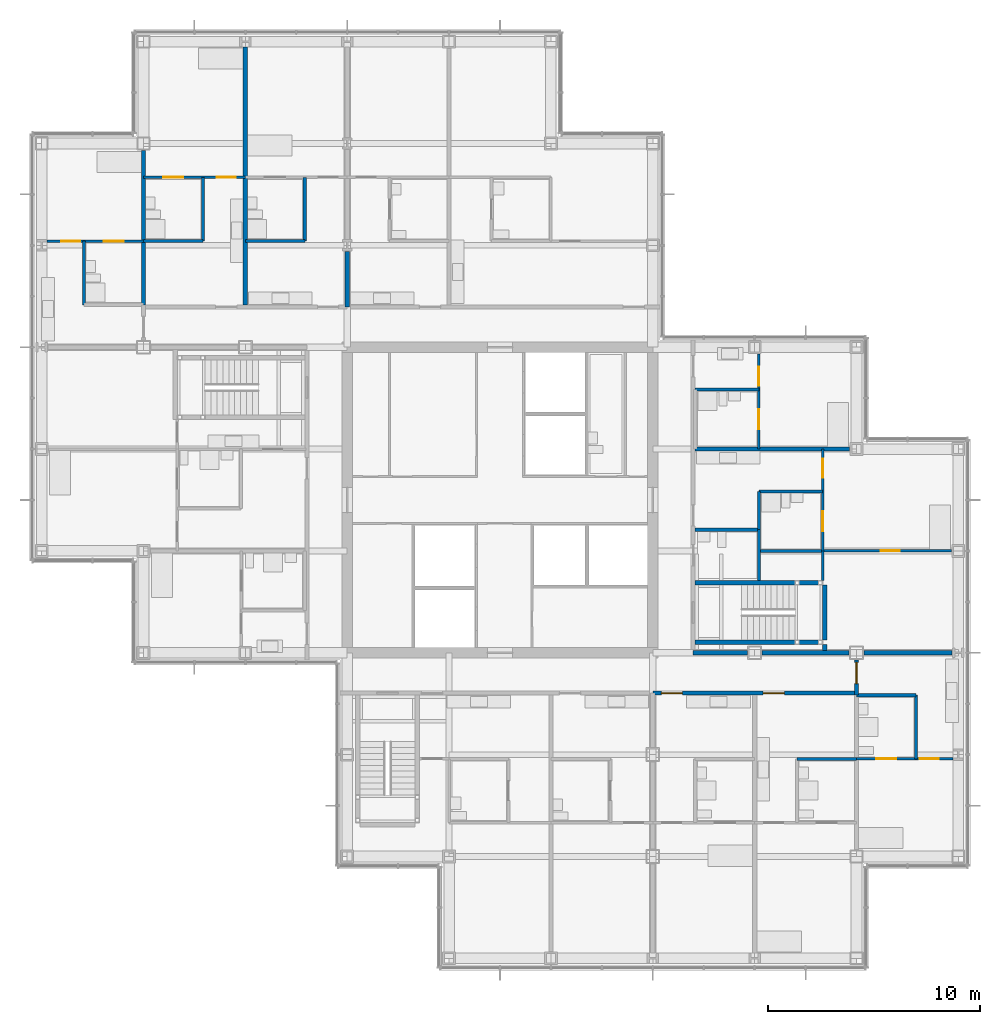
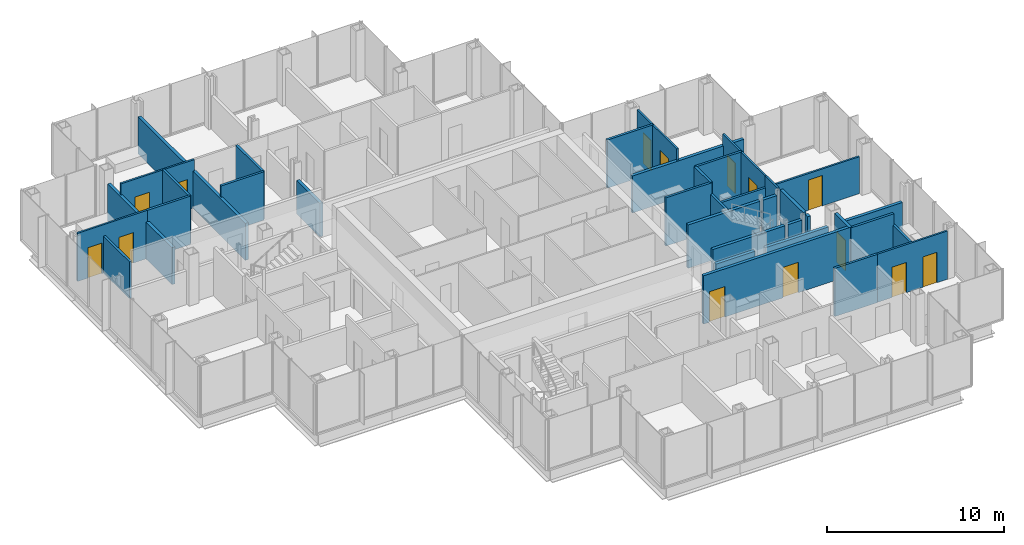
# One storey, part 16 of 20: 36 walls, 14 doors, 14 openings.
"""IFC4 building model written with IfcOpenShell, lengths in metres."""

from ifc_helpers import new_model, si_unit, direction, frame, frame_2d, origin, place, context, subcontext, project, spatial, rectangle, extrude, material, layer, layer_set, type_object, element, fill, save


model = new_model("IFC4")

# Units and contexts
model_context = context("Model", 3, precision=1e-05, world=origin(), true_north=direction((0.0, 1.0)))
body_context = subcontext(model_context, "Body", "Model", "MODEL_VIEW")
ifc_project = project(units=[si_unit("LENGTHUNIT", "METRE"), si_unit("AREAUNIT", "SQUARE_METRE"), si_unit("VOLUMEUNIT", "CUBIC_METRE"), si_unit("PLANEANGLEUNIT", "RADIAN"), si_unit("MASSUNIT", "GRAM", prefix="KILO")], contexts=[model_context])

# Site, building, storey
site_placement = place(None, origin())
site = spatial("IfcSite", under=ifc_project, at=site_placement, CompositionType="ELEMENT")
building_placement = place(site_placement, origin())
building = spatial("IfcBuilding", under=site, at=building_placement, Name="Kvirike Care Tower", CompositionType="ELEMENT")
storey_placement = place(building_placement, frame((0.0, 0.0, 112.0)))
storey = spatial("IfcBuildingStorey", under=building, at=storey_placement, Name="L30", CompositionType="ELEMENT", Elevation=112.0)

# Walls
ifc_material_1 = material(Name="Moisture-resistant board partition", Category="gypsum")
ifc_layer_1 = layer(ifc_material_1, 0.14990234375)
ifc_layer_set_1 = layer_set([ifc_layer_1], Name="BATHROOM WALL 150")
wall_type_1 = type_object("IfcWallType", Name="BATHROOM WALL 150", PredefinedType="PARTITIONING", material=ifc_layer_set_1)
wall_1_placement = place(storey_placement, frame((12.39990234375, 51.199951171875, 0.0), z_axis=(0.0, 0.0, 1.0), x_axis=(0.0, -1.0, 0.0)))
element("IfcWall", 1, at=wall_1_placement, inside=storey, type_object=wall_type_1, Name="Bathroom Wall 150 L30", PredefinedType="PARTITIONING", context=body_context, shape_type="SweptSolid", body=[
    extrude(rectangle(XDim=3.0, YDim=0.14990234375, at=frame_2d((1.5, 0.0))), origin(), (0.0, 0.0, 1.0), 3.330078125),
])
wall_2_placement = place(storey_placement, frame((12.39990234375, 48.199951171875, 0.0), z_axis=(0.0, 0.0, 1.0), x_axis=(-1.0, 0.0, 0.0)))
element("IfcWall", 2, at=wall_2_placement, inside=storey, type_object=wall_type_1, Name="Bathroom Wall 150 L30", PredefinedType="PARTITIONING", context=body_context, shape_type="SweptSolid", body=[
    extrude(rectangle(XDim=2.7998046875, YDim=0.14990234375, at=frame_2d((1.39990234375, 0.0))), origin(), (0.0, 0.0, 1.0), 3.330078125),
])
wall_3_placement = place(storey_placement, frame((7.60009765625, 51.199951171875, 0.0), z_axis=(0.0, 0.0, 1.0), x_axis=(0.0, -1.0, 0.0)))
element("IfcWall", 3, at=wall_3_placement, inside=storey, type_object=wall_type_1, Name="Bathroom Wall 150 L30", PredefinedType="PARTITIONING", context=body_context, shape_type="SweptSolid", body=[
    extrude(rectangle(XDim=3.0, YDim=0.14990234375, at=frame_2d((1.5, 0.0))), origin(), (0.0, 0.0, 1.0), 3.330078125),
])
wall_4_placement = place(storey_placement, frame((7.60009765625, 48.199951171875, 0.0), z_axis=(0.0, 0.0, 1.0), x_axis=(-1.0, 0.0, 0.0)))
element("IfcWall", 4, at=wall_4_placement, inside=storey, type_object=wall_type_1, Name="Bathroom Wall 150 L30", PredefinedType="PARTITIONING", context=body_context, shape_type="SweptSolid", body=[
    extrude(rectangle(XDim=2.800048828125, YDim=0.14990234375, at=frame_2d((1.39990234375, 0.0))), origin(), (0.0, 0.0, 1.0), 3.330078125),
])
wall_5_placement = place(storey_placement, frame((2.0, 48.199951171875, 0.0), z_axis=(0.0, 0.0, 1.0), x_axis=(0.0, -1.0, 0.0)))
element("IfcWall", 5, at=wall_5_placement, inside=storey, type_object=wall_type_1, Name="Bathroom Wall 150 L30", PredefinedType="PARTITIONING", context=body_context, shape_type="SweptSolid", body=[
    extrude(rectangle(XDim=3.0, YDim=0.14990234375, at=frame_2d((1.5, 0.0))), origin(), (0.0, 0.0, 1.0), 2.550048828125),
])
wall_6_placement = place(storey_placement, frame((35.60009765625, 23.800048828125, 0.0), z_axis=(0.0, 0.0, 1.0), x_axis=(1.0, 0.0, 0.0)))
element("IfcWall", 6, at=wall_6_placement, inside=storey, type_object=wall_type_1, Name="Bathroom Wall 150 L30", PredefinedType="PARTITIONING", context=body_context, shape_type="SweptSolid", body=[
    extrude(rectangle(XDim=2.7998046875, YDim=0.14990234375, at=frame_2d((1.39990234375, 0.0))), origin(), (0.0, 0.0, 1.0), 3.330078125),
])
wall_7_placement = place(storey_placement, frame((41.199951171875, 23.800048828125, 0.0), z_axis=(0.0, 0.0, 1.0), x_axis=(0.0, 1.0, 0.0)))
element("IfcWall", 7, at=wall_7_placement, inside=storey, type_object=wall_type_1, Name="Bathroom Wall 150 L30", PredefinedType="PARTITIONING", context=body_context, shape_type="SweptSolid", body=[
    extrude(rectangle(XDim=3.0, YDim=0.14990234375, at=frame_2d((1.5, 0.0))), origin(), (0.0, 0.0, 1.0), 2.550048828125),
])
wall_8_placement = place(storey_placement, frame((38.39990234375, 26.800048828125, 0.0), z_axis=(0.0, 0.0, 1.0), x_axis=(1.0, 0.0, 0.0)))
element("IfcWall", 8, at=wall_8_placement, inside=storey, type_object=wall_type_1, Name="Bathroom Wall 150 L30", PredefinedType="PARTITIONING", context=body_context, shape_type="SweptSolid", body=[
    extrude(rectangle(XDim=2.800048828125, YDim=0.14990234375, at=frame_2d((1.39990234375, 0.0))), origin(), (0.0, 0.0, 1.0), 3.330078125),
])
wall_9_placement = place(storey_placement, frame((33.800048828125, 32.199951171875, 0.0), z_axis=(0.0, 0.0, 1.0), x_axis=(0.0, 1.0, 0.0)))
element("IfcWall", 9, at=wall_9_placement, inside=storey, type_object=wall_type_1, Name="Bathroom Wall 150 L30", PredefinedType="PARTITIONING", context=body_context, shape_type="SweptSolid", body=[
    extrude(rectangle(XDim=2.400146484375, YDim=0.14990234375, at=frame_2d((1.2001953125, 0.0))), origin(), (0.0, 0.0, 1.0), 2.550048828125),
])
for number, where, z_axis, x_axis, name in (
    (10, (33.800048828125, 34.60009765625, 0.0), (0.0, 0.0, 1.0), (-1.0, 0.0, 0.0), "Bathroom Wall 150 L30"),
    (11, (36.800048828125, 36.39990234375, 0.0), (0.0, 0.0, 1.0), (-1.0, 0.0, 0.0), "Bathroom Wall 150 L30"),
):
    element("IfcWall", number, at=place(storey_placement, frame(where, z_axis=z_axis, x_axis=x_axis)), inside=storey, type_object=wall_type_1, Name=name, PredefinedType="PARTITIONING", context=body_context, shape_type="SweptSolid", body=[
        extrude(rectangle(XDim=3.0, YDim=0.14990234375, at=frame_2d((1.5, 0.0))), origin(), (0.0, 0.0, 1.0), 3.330078125),
    ])
wall_10_placement = place(storey_placement, frame((33.800048828125, 34.60009765625, 0.0), z_axis=(0.0, 0.0, 1.0), x_axis=(0.0, 1.0, 0.0)))
element("IfcWall", 12, at=wall_10_placement, inside=storey, type_object=wall_type_1, Name="Bathroom Wall 150 L30", PredefinedType="PARTITIONING", context=body_context, shape_type="SweptSolid", body=[
    extrude(rectangle(XDim=1.7998046875, YDim=0.14990234375, at=frame_2d((0.89990234375, 0.0))), origin(), (0.0, 0.0, 1.0), 3.330078125),
])
wall_11_placement = place(storey_placement, frame((33.800048828125, 41.199951171875, 0.0), z_axis=(0.0, 0.0, 1.0), x_axis=(-1.0, 0.0, 0.0)))
element("IfcWall", 13, at=wall_11_placement, inside=storey, type_object=wall_type_1, Name="Bathroom Wall 150 L30", PredefinedType="PARTITIONING", context=body_context, shape_type="SweptSolid", body=[
    extrude(rectangle(XDim=3.0, YDim=0.14990234375, at=frame_2d((1.5, 0.0))), origin(), (0.0, 0.0, 1.0), 3.330078125),
])
wall_12_placement = place(storey_placement, frame((36.739990234375, 33.60009765625, 0.0), z_axis=(0.0, 0.0, 1.0), x_axis=(-1.0, 0.0, 0.0)))
element("IfcWall", 14, at=wall_12_placement, inside=storey, type_object=wall_type_1, Name="Bathroom Wall 150 L30", PredefinedType="PARTITIONING", context=body_context, shape_type="SweptSolid", body=[
    extrude(rectangle(XDim=2.864990234375, YDim=0.14990234375, at=frame_2d((1.4326171875, 0.0))), origin(), (0.0, 0.0, 1.0), 2.550048828125),
])

# Wall, openings, doors
ifc_material_2 = material(Name="Plasterboard corridor wall", Category="gypsum")
ifc_layer_2 = layer(ifc_material_2, 0.199951171875)
ifc_layer_set_2 = layer_set([ifc_layer_2], Name="CORRIDOR WALL 200")
wall_type_2 = type_object("IfcWallType", Name="CORRIDOR WALL 200", PredefinedType="PARTITIONING", material=ifc_layer_set_2)
wall_13_placement = place(storey_placement, frame((28.800048828125, 26.89990234375, 0.0), z_axis=(0.0, 0.0, 1.0), x_axis=(1.0, 0.0, 0.0)))
wall_13 = element("IfcWall", 15, at=wall_13_placement, inside=storey, type_object=wall_type_2, Name="Corridor Wall 200 L30", PredefinedType="PARTITIONING", context=body_context, shape_type="SweptSolid", body=[
    extrude(rectangle(XDim=9.599853515625, YDim=0.199951171875, at=frame_2d((4.7998046875, 0.0))), origin(), (0.0, 0.0, 1.0), 3.330078125),
])
opening_1_placement = place(wall_13_placement, frame((0.39990234375, 0.0, 0.0)))
opening_1 = element("IfcOpeningElement", 16, at=opening_1_placement, cuts=wall_13, Name="Opening 30-038", PredefinedType="OPENING", context=body_context, shape_type="SweptSolid", body=[
    extrude(rectangle(XDim=1.0, YDim=2.10009765625, at=frame_2d((0.5, 1.050048828125))), frame((0.0, 0.110595703125, 0.0), z_axis=(0.0, -1.0, 0.0), x_axis=(1.0, 0.0, 0.0)), (0.0, 0.0, 1.0), 0.220947265625),
])
opening_2_placement = place(wall_13_placement, frame((5.199951171875, 0.0, 0.0)))
opening_2 = element("IfcOpeningElement", 17, at=opening_2_placement, cuts=wall_13, Name="Opening 30-039", PredefinedType="OPENING", context=body_context, shape_type="SweptSolid", body=[
    extrude(rectangle(XDim=1.0, YDim=2.10009765625, at=frame_2d((0.5, 1.050048828125))), frame((0.0, 0.110595703125, 0.0), z_axis=(0.0, -1.0, 0.0), x_axis=(1.0, 0.0, 0.0)), (0.0, 0.0, 1.0), 0.220947265625),
])
ifc_material_3 = material(Name="Timber door set", Category="wood")
door_type_1 = type_object("IfcDoorType", Name="FLAT ENTRANCE DOOR 1000", OperationType="SINGLE_SWING_LEFT", PredefinedType="DOOR", material=ifc_material_3)
door_1_placement = place(opening_1_placement, frame((1.0, 0.0, 0.0), z_axis=(0.0, 0.0, 1.0), x_axis=(-1.0, 0.0, 0.0)))
door_1 = element("IfcDoor", 18, at=door_1_placement, inside=storey, type_object=door_type_1, Name="Assisted living suite entrance", OperationType="SINGLE_SWING_RIGHT", OverallHeight=2.10009765625, OverallWidth=1.0, PredefinedType="DOOR", context=body_context, shape_type="SweptSolid", body=[
    extrude(rectangle(XDim=1.0, YDim=2.10009765625, at=frame_2d((0.5, 1.050048828125))), frame((0.0, 0.02685546875, 0.0), z_axis=(0.0, -1.0, 0.0), x_axis=(1.0, 0.0, 0.0)), (0.0, 0.0, 1.0), 0.053955078125),
])
fill(opening_1, door_1)
door_2_placement = place(opening_2_placement, frame((1.0, 0.0, 0.0), z_axis=(0.0, 0.0, 1.0), x_axis=(-1.0, 0.0, 0.0)))
door_2 = element("IfcDoor", 19, at=door_2_placement, inside=storey, type_object=door_type_1, Name="Assisted living suite entrance", OperationType="SINGLE_SWING_LEFT", OverallHeight=2.10009765625, OverallWidth=1.0, PredefinedType="DOOR", context=body_context, shape_type="SweptSolid", body=[
    extrude(rectangle(XDim=1.0, YDim=2.10009765625, at=frame_2d((0.5, 1.050048828125))), frame((0.0, 0.02685546875, 0.0), z_axis=(0.0, -1.0, 0.0), x_axis=(1.0, 0.0, 0.0)), (0.0, 0.0, 1.0), 0.053955078125),
])
fill(opening_2, door_2)

# Wall, opening, door
wall_14_placement = place(storey_placement, frame((38.39990234375, 26.800048828125, 0.0), z_axis=(0.0, 0.0, 1.0), x_axis=(0.0, 1.0, 0.0)))
wall_14 = element("IfcWall", 20, at=wall_14_placement, inside=storey, type_object=wall_type_2, Name="Corridor Wall 200 L30", PredefinedType="PARTITIONING", context=body_context, shape_type="SweptSolid", body=[
    extrude(rectangle(XDim=1.655029296875, YDim=0.199951171875, at=frame_2d((0.82763671875, 0.0))), origin(), (0.0, 0.0, 1.0), 3.330078125),
])
opening_3_placement = place(wall_14_placement, frame((0.550048828125, 0.0, 0.0)))
opening_3 = element("IfcOpeningElement", 21, at=opening_3_placement, cuts=wall_14, Name="Opening 30-040", PredefinedType="OPENING", context=body_context, shape_type="SweptSolid", body=[
    extrude(rectangle(XDim=1.0, YDim=2.10009765625, at=frame_2d((0.5, 1.050048828125))), frame((0.0, 0.110595703125, 0.0), z_axis=(0.0, -1.0, 0.0), x_axis=(1.0, 0.0, 0.0)), (0.0, 0.0, 1.0), 0.220947265625),
])
door_3_placement = place(opening_3_placement, frame((1.0, 0.0, 0.0), z_axis=(0.0, 0.0, 1.0), x_axis=(-1.0, 0.0, 0.0)))
door_3 = element("IfcDoor", 22, at=door_3_placement, inside=storey, type_object=door_type_1, Name="Assisted living suite entrance", OperationType="SINGLE_SWING_RIGHT", OverallHeight=2.10009765625, OverallWidth=1.0, PredefinedType="DOOR", context=body_context, shape_type="SweptSolid", body=[
    extrude(rectangle(XDim=1.0, YDim=2.10009765625, at=frame_2d((0.5, 1.050048828125))), frame((0.0, 0.02685546875, 0.0), z_axis=(0.0, -1.0, 0.0), x_axis=(1.0, 0.0, 0.0)), (0.0, 0.0, 1.0), 0.053955078125),
])
fill(opening_3, door_3)

# Wall, openings, doors
ifc_material_4 = material(Name="Plasterboard partition", Category="gypsum")
ifc_layer_3 = layer(ifc_material_4, 0.1201171875)
ifc_layer_set_3 = layer_set([ifc_layer_3], Name="PARTITION 120")
wall_type_3 = type_object("IfcWallType", Name="PARTITION 120", PredefinedType="PARTITIONING", material=ifc_layer_set_3)
wall_15_placement = place(storey_placement, frame((9.60009765625, 51.199951171875, 0.0), z_axis=(0.0, 0.0, 1.0), x_axis=(-1.0, 0.0, 0.0)))
wall_15 = element("IfcWall", 23, at=wall_15_placement, inside=storey, type_object=wall_type_3, Name="Partition 120 L30", PredefinedType="PARTITIONING", context=body_context, shape_type="SweptSolid", body=[
    extrude(rectangle(XDim=4.800048828125, YDim=0.1201171875, at=frame_2d((2.39990234375, 0.0))), origin(), (0.0, 0.0, 1.0), 3.330078125),
])
opening_4_placement = place(wall_15_placement, frame((0.449951171875, 0.0, 0.0)))
opening_4 = element("IfcOpeningElement", 24, at=opening_4_placement, cuts=wall_15, Name="Opening 30-012", PredefinedType="OPENING", context=body_context, shape_type="SweptSolid", body=[
    extrude(rectangle(XDim=0.89990234375, YDim=2.10009765625, at=frame_2d((0.449951171875, 1.050048828125))), frame((0.0, 0.070556640625, 0.0), z_axis=(0.0, -1.0, 0.0), x_axis=(1.0, 0.0, 0.0)), (0.0, 0.0, 1.0), 0.14111328125),
])
opening_5_placement = place(wall_15_placement, frame((2.925048828125, 0.0, 0.0)))
opening_5 = element("IfcOpeningElement", 25, at=opening_5_placement, cuts=wall_15, Name="Opening 30-013", PredefinedType="OPENING", context=body_context, shape_type="SweptSolid", body=[
    extrude(rectangle(XDim=0.949951171875, YDim=2.10009765625, at=frame_2d((0.47509765625, 1.050048828125))), frame((0.0, 0.070556640625, 0.0), z_axis=(0.0, -1.0, 0.0), x_axis=(1.0, 0.0, 0.0)), (0.0, 0.0, 1.0), 0.14111328125),
])
ifc_material_5 = material(Name="Timber door set", Category="wood")
door_type_2 = type_object("IfcDoorType", Name="EN-SUITE SLIDING DOOR 950", OperationType="SLIDING_TO_LEFT", PredefinedType="DOOR", material=ifc_material_5)
door_4_placement = place(opening_5_placement, origin())
door_4 = element("IfcDoor", 26, at=door_4_placement, inside=storey, type_object=door_type_2, Name="En-suite door", OperationType="SLIDING_TO_LEFT", OverallHeight=2.10009765625, OverallWidth=0.949951171875, PredefinedType="DOOR", context=body_context, shape_type="SweptSolid", body=[
    extrude(rectangle(XDim=0.949951171875, YDim=2.10009765625, at=frame_2d((0.47509765625, 1.050048828125))), frame((0.0, 0.02197265625, 0.0), z_axis=(0.0, -1.0, 0.0), x_axis=(1.0, 0.0, 0.0)), (0.0, 0.0, 1.0), 0.0439453125),
])
fill(opening_5, door_4)
ifc_material_6 = material(Name="Timber door set", Category="wood")
door_type_3 = type_object("IfcDoorType", Name="INTERNAL DOOR 900", OperationType="SINGLE_SWING_LEFT", PredefinedType="DOOR", material=ifc_material_6)
door_5_placement = place(opening_4_placement, origin())
door_5 = element("IfcDoor", 27, at=door_5_placement, inside=storey, type_object=door_type_3, Name="Assisted living suite door", OperationType="SINGLE_SWING_RIGHT", OverallHeight=2.10009765625, OverallWidth=0.89990234375, PredefinedType="DOOR", context=body_context, shape_type="SweptSolid", body=[
    extrude(rectangle(XDim=0.89990234375, YDim=2.10009765625, at=frame_2d((0.449951171875, 1.050048828125))), frame((0.0, 0.02197265625, 0.0), z_axis=(0.0, -1.0, 0.0), x_axis=(1.0, 0.0, 0.0)), (0.0, 0.0, 1.0), 0.0439453125),
])
fill(opening_4, door_5)

wall_16_placement = place(storey_placement, frame((4.800048828125, 48.199951171875, 0.0), z_axis=(0.0, 0.0, 1.0), x_axis=(-1.0, 0.0, 0.0)))
wall_16 = element("IfcWall", 28, at=wall_16_placement, inside=storey, type_object=wall_type_3, Name="Partition 120 L30", PredefinedType="PARTITIONING", context=body_context, shape_type="SweptSolid", body=[
    extrude(rectangle(XDim=4.55615234375, YDim=0.1201171875, at=frame_2d((2.278076171875, 0.0))), origin(), (0.0, 0.0, 1.0), 3.330078125),
])
opening_6_placement = place(wall_16_placement, frame((2.97509765625, 0.0, 0.0)))
opening_6 = element("IfcOpeningElement", 29, at=opening_6_placement, cuts=wall_16, Name="Opening 30-014", PredefinedType="OPENING", context=body_context, shape_type="SweptSolid", body=[
    extrude(rectangle(XDim=0.89990234375, YDim=2.10009765625, at=frame_2d((0.449951171875, 1.050048828125))), frame((0.0, 0.070556640625, 0.0), z_axis=(0.0, -1.0, 0.0), x_axis=(1.0, 0.0, 0.0)), (0.0, 0.0, 1.0), 0.14111328125),
])
opening_7_placement = place(wall_16_placement, frame((0.925048828125, 0.0, 0.0)))
opening_7 = element("IfcOpeningElement", 30, at=opening_7_placement, cuts=wall_16, Name="Opening 30-015", PredefinedType="OPENING", context=body_context, shape_type="SweptSolid", body=[
    extrude(rectangle(XDim=0.949951171875, YDim=2.10009765625, at=frame_2d((0.47509765625, 1.050048828125))), frame((0.0, 0.070556640625, 0.0), z_axis=(0.0, -1.0, 0.0), x_axis=(1.0, 0.0, 0.0)), (0.0, 0.0, 1.0), 0.14111328125),
])
door_6_placement = place(opening_7_placement, origin())
door_6 = element("IfcDoor", 31, at=door_6_placement, inside=storey, type_object=door_type_2, Name="En-suite door", OperationType="SLIDING_TO_LEFT", OverallHeight=2.10009765625, OverallWidth=0.949951171875, PredefinedType="DOOR", context=body_context, shape_type="SweptSolid", body=[
    extrude(rectangle(XDim=0.949951171875, YDim=2.10009765625, at=frame_2d((0.47509765625, 1.050048828125))), frame((0.0, 0.02197265625, 0.0), z_axis=(0.0, -1.0, 0.0), x_axis=(1.0, 0.0, 0.0)), (0.0, 0.0, 1.0), 0.0439453125),
])
fill(opening_7, door_6)
door_7_placement = place(opening_6_placement, origin())
door_7 = element("IfcDoor", 32, at=door_7_placement, inside=storey, type_object=door_type_3, Name="Assisted living suite door", OperationType="SINGLE_SWING_RIGHT", OverallHeight=2.10009765625, OverallWidth=0.89990234375, PredefinedType="DOOR", context=body_context, shape_type="SweptSolid", body=[
    extrude(rectangle(XDim=0.89990234375, YDim=2.10009765625, at=frame_2d((0.449951171875, 1.050048828125))), frame((0.0, 0.02197265625, 0.0), z_axis=(0.0, -1.0, 0.0), x_axis=(1.0, 0.0, 0.0)), (0.0, 0.0, 1.0), 0.0439453125),
])
fill(opening_6, door_7)

wall_17_placement = place(storey_placement, frame((38.39990234375, 23.800048828125, 0.0), z_axis=(0.0, 0.0, 1.0), x_axis=(1.0, 0.0, 0.0)))
wall_17 = element("IfcWall", 33, at=wall_17_placement, inside=storey, type_object=wall_type_3, Name="Partition 120 L30", PredefinedType="PARTITIONING", context=body_context, shape_type="SweptSolid", body=[
    extrude(rectangle(XDim=4.55615234375, YDim=0.1201171875, at=frame_2d((2.278076171875, 0.0))), origin(), (0.0, 0.0, 1.0), 3.330078125),
])
opening_8_placement = place(wall_17_placement, frame((2.97509765625, 0.0, 0.0)))
opening_8 = element("IfcOpeningElement", 34, at=opening_8_placement, cuts=wall_17, Name="Opening 30-036", PredefinedType="OPENING", context=body_context, shape_type="SweptSolid", body=[
    extrude(rectangle(XDim=0.89990234375, YDim=2.10009765625, at=frame_2d((0.449951171875, 1.050048828125))), frame((0.0, 0.070556640625, 0.0), z_axis=(0.0, -1.0, 0.0), x_axis=(1.0, 0.0, 0.0)), (0.0, 0.0, 1.0), 0.14111328125),
])
opening_9_placement = place(wall_17_placement, frame((0.925048828125, 0.0, 0.0)))
opening_9 = element("IfcOpeningElement", 35, at=opening_9_placement, cuts=wall_17, Name="Opening 30-037", PredefinedType="OPENING", context=body_context, shape_type="SweptSolid", body=[
    extrude(rectangle(XDim=0.949951171875, YDim=2.10009765625, at=frame_2d((0.47509765625, 1.050048828125))), frame((0.0, 0.070556640625, 0.0), z_axis=(0.0, -1.0, 0.0), x_axis=(1.0, 0.0, 0.0)), (0.0, 0.0, 1.0), 0.14111328125),
])
door_8_placement = place(opening_9_placement, origin())
door_8 = element("IfcDoor", 36, at=door_8_placement, inside=storey, type_object=door_type_2, Name="En-suite door", OperationType="SLIDING_TO_LEFT", OverallHeight=2.10009765625, OverallWidth=0.949951171875, PredefinedType="DOOR", context=body_context, shape_type="SweptSolid", body=[
    extrude(rectangle(XDim=0.949951171875, YDim=2.10009765625, at=frame_2d((0.47509765625, 1.050048828125))), frame((0.0, 0.02197265625, 0.0), z_axis=(0.0, -1.0, 0.0), x_axis=(1.0, 0.0, 0.0)), (0.0, 0.0, 1.0), 0.0439453125),
])
fill(opening_9, door_8)
door_9_placement = place(opening_8_placement, origin())
door_9 = element("IfcDoor", 37, at=door_9_placement, inside=storey, type_object=door_type_3, Name="Assisted living suite door", OperationType="SINGLE_SWING_RIGHT", OverallHeight=2.10009765625, OverallWidth=0.89990234375, PredefinedType="DOOR", context=body_context, shape_type="SweptSolid", body=[
    extrude(rectangle(XDim=0.89990234375, YDim=2.10009765625, at=frame_2d((0.449951171875, 1.050048828125))), frame((0.0, 0.02197265625, 0.0), z_axis=(0.0, -1.0, 0.0), x_axis=(1.0, 0.0, 0.0)), (0.0, 0.0, 1.0), 0.0439453125),
])
fill(opening_8, door_9)

# Wall
wall_18_placement = place(storey_placement, frame((36.800048828125, 32.199951171875, 0.0), z_axis=(0.0, 0.0, 1.0), x_axis=(0.0, 1.0, 0.0)))
element("IfcWall", 38, at=wall_18_placement, inside=storey, type_object=wall_type_3, Name="Partition 120 L30", PredefinedType="PARTITIONING", context=body_context, shape_type="SweptSolid", body=[
    extrude(rectangle(XDim=1.400146484375, YDim=0.1201171875, at=frame_2d((0.7001953125, 0.0))), origin(), (0.0, 0.0, 1.0), 3.330078125),
])

# Wall, openings, doors
wall_19_placement = place(storey_placement, frame((36.800048828125, 33.60009765625, 0.0), z_axis=(0.0, 0.0, 1.0), x_axis=(0.0, 1.0, 0.0)))
wall_19 = element("IfcWall", 39, at=wall_19_placement, inside=storey, type_object=wall_type_3, Name="Partition 120 L30", PredefinedType="PARTITIONING", context=body_context, shape_type="SweptSolid", body=[
    extrude(rectangle(XDim=4.7998046875, YDim=0.1201171875, at=frame_2d((2.39990234375, 0.0))), origin(), (0.0, 0.0, 1.0), 3.330078125),
])
opening_10_placement = place(wall_19_placement, frame((3.449951171875, 0.0, 0.0)))
opening_10 = element("IfcOpeningElement", 40, at=opening_10_placement, cuts=wall_19, Name="Opening 30-041", PredefinedType="OPENING", context=body_context, shape_type="SweptSolid", body=[
    extrude(rectangle(XDim=0.89990234375, YDim=2.10009765625, at=frame_2d((0.449951171875, 1.050048828125))), frame((0.0, 0.070556640625, 0.0), z_axis=(0.0, -1.0, 0.0), x_axis=(1.0, 0.0, 0.0)), (0.0, 0.0, 1.0), 0.14111328125),
])
opening_11_placement = place(wall_19_placement, frame((0.925048828125, 0.0, 0.0)))
opening_11 = element("IfcOpeningElement", 41, at=opening_11_placement, cuts=wall_19, Name="Opening 30-042", PredefinedType="OPENING", context=body_context, shape_type="SweptSolid", body=[
    extrude(rectangle(XDim=0.949951171875, YDim=2.10009765625, at=frame_2d((0.47509765625, 1.050048828125))), frame((0.0, 0.070556640625, 0.0), z_axis=(0.0, -1.0, 0.0), x_axis=(1.0, 0.0, 0.0)), (0.0, 0.0, 1.0), 0.14111328125),
])
door_10_placement = place(opening_11_placement, origin())
door_10 = element("IfcDoor", 42, at=door_10_placement, inside=storey, type_object=door_type_2, Name="En-suite door", OperationType="SLIDING_TO_RIGHT", OverallHeight=2.10009765625, OverallWidth=0.949951171875, PredefinedType="DOOR", context=body_context, shape_type="SweptSolid", body=[
    extrude(rectangle(XDim=0.949951171875, YDim=2.10009765625, at=frame_2d((0.47509765625, 1.050048828125))), frame((0.0, 0.02197265625, 0.0), z_axis=(0.0, -1.0, 0.0), x_axis=(1.0, 0.0, 0.0)), (0.0, 0.0, 1.0), 0.0439453125),
])
fill(opening_11, door_10)
door_11_placement = place(opening_10_placement, origin())
door_11 = element("IfcDoor", 43, at=door_11_placement, inside=storey, type_object=door_type_3, Name="Assisted living suite door", OperationType="SINGLE_SWING_LEFT", OverallHeight=2.10009765625, OverallWidth=0.89990234375, PredefinedType="DOOR", context=body_context, shape_type="SweptSolid", body=[
    extrude(rectangle(XDim=0.89990234375, YDim=2.10009765625, at=frame_2d((0.449951171875, 1.050048828125))), frame((0.0, 0.02197265625, 0.0), z_axis=(0.0, -1.0, 0.0), x_axis=(1.0, 0.0, 0.0)), (0.0, 0.0, 1.0), 0.0439453125),
])
fill(opening_10, door_11)

# Wall, opening, door
wall_20_placement = place(storey_placement, frame((42.8798828125, 33.60009765625, 0.0), z_axis=(0.0, 0.0, 1.0), x_axis=(-1.0, 0.0, 0.0)))
wall_20 = element("IfcWall", 44, at=wall_20_placement, inside=storey, type_object=wall_type_3, Name="Partition 120 L30", PredefinedType="PARTITIONING", context=body_context, shape_type="SweptSolid", body=[
    extrude(rectangle(XDim=6.079833984375, YDim=0.1201171875, at=frame_2d((3.0400390625, 0.0))), origin(), (0.0, 0.0, 1.0), 2.550048828125),
])
opening_12_placement = place(wall_20_placement, frame((2.429931640625, 0.0, 0.0)))
opening_12 = element("IfcOpeningElement", 45, at=opening_12_placement, cuts=wall_20, Name="Opening 30-043", PredefinedType="OPENING", context=body_context, shape_type="SweptSolid", body=[
    extrude(rectangle(XDim=0.89990234375, YDim=2.10009765625, at=frame_2d((0.449951171875, 1.050048828125))), frame((0.0, 0.070556640625, 0.0), z_axis=(0.0, -1.0, 0.0), x_axis=(1.0, 0.0, 0.0)), (0.0, 0.0, 1.0), 0.14111328125),
])
door_12_placement = place(opening_12_placement, origin())
door_12 = element("IfcDoor", 46, at=door_12_placement, inside=storey, type_object=door_type_3, Name="Connecting door", OperationType="SINGLE_SWING_RIGHT", OverallHeight=2.10009765625, OverallWidth=0.89990234375, PredefinedType="DOOR", context=body_context, shape_type="SweptSolid", body=[
    extrude(rectangle(XDim=0.89990234375, YDim=2.10009765625, at=frame_2d((0.449951171875, 1.050048828125))), frame((0.0, 0.02197265625, 0.0), z_axis=(0.0, -1.0, 0.0), x_axis=(1.0, 0.0, 0.0)), (0.0, 0.0, 1.0), 0.0439453125),
])
fill(opening_12, door_12)

# Wall, openings, doors
wall_21_placement = place(storey_placement, frame((33.800048828125, 38.39990234375, 0.0), z_axis=(0.0, 0.0, 1.0), x_axis=(0.0, 1.0, 0.0)))
wall_21 = element("IfcWall", 47, at=wall_21_placement, inside=storey, type_object=wall_type_3, Name="Partition 120 L30", PredefinedType="PARTITIONING", context=body_context, shape_type="SweptSolid", body=[
    extrude(rectangle(XDim=4.47998046875, YDim=0.1201171875, at=frame_2d((2.239990234375, 0.0))), origin(), (0.0, 0.0, 1.0), 3.330078125),
])
opening_13_placement = place(wall_21_placement, frame((2.97509765625, 0.0, 0.0)))
opening_13 = element("IfcOpeningElement", 48, at=opening_13_placement, cuts=wall_21, Name="Opening 30-044", PredefinedType="OPENING", context=body_context, shape_type="SweptSolid", body=[
    extrude(rectangle(XDim=0.89990234375, YDim=2.10009765625, at=frame_2d((0.449951171875, 1.050048828125))), frame((0.0, 0.070556640625, 0.0), z_axis=(0.0, -1.0, 0.0), x_axis=(1.0, 0.0, 0.0)), (0.0, 0.0, 1.0), 0.14111328125),
])
opening_14_placement = place(wall_21_placement, frame((0.925048828125, 0.0, 0.0)))
opening_14 = element("IfcOpeningElement", 49, at=opening_14_placement, cuts=wall_21, Name="Opening 30-045", PredefinedType="OPENING", context=body_context, shape_type="SweptSolid", body=[
    extrude(rectangle(XDim=0.949951171875, YDim=2.10009765625, at=frame_2d((0.47509765625, 1.050048828125))), frame((0.0, 0.070556640625, 0.0), z_axis=(0.0, -1.0, 0.0), x_axis=(1.0, 0.0, 0.0)), (0.0, 0.0, 1.0), 0.14111328125),
])
door_13_placement = place(opening_14_placement, origin())
door_13 = element("IfcDoor", 50, at=door_13_placement, inside=storey, type_object=door_type_2, Name="En-suite door", OperationType="SLIDING_TO_LEFT", OverallHeight=2.10009765625, OverallWidth=0.949951171875, PredefinedType="DOOR", context=body_context, shape_type="SweptSolid", body=[
    extrude(rectangle(XDim=0.949951171875, YDim=2.10009765625, at=frame_2d((0.47509765625, 1.050048828125))), frame((0.0, 0.02197265625, 0.0), z_axis=(0.0, -1.0, 0.0), x_axis=(1.0, 0.0, 0.0)), (0.0, 0.0, 1.0), 0.0439453125),
])
fill(opening_14, door_13)
door_14_placement = place(opening_13_placement, origin())
door_14 = element("IfcDoor", 51, at=door_14_placement, inside=storey, type_object=door_type_3, Name="Assisted living suite door", OperationType="SINGLE_SWING_RIGHT", OverallHeight=2.10009765625, OverallWidth=0.89990234375, PredefinedType="DOOR", context=body_context, shape_type="SweptSolid", body=[
    extrude(rectangle(XDim=0.89990234375, YDim=2.10009765625, at=frame_2d((0.449951171875, 1.050048828125))), frame((0.0, 0.02197265625, 0.0), z_axis=(0.0, -1.0, 0.0), x_axis=(1.0, 0.0, 0.0)), (0.0, 0.0, 1.0), 0.0439453125),
])
fill(opening_13, door_14)

# Walls
ifc_material_7 = material(Name="Plasterboard party wall", Category="gypsum")
ifc_layer_4 = layer(ifc_material_7, 0.199951171875)
ifc_layer_set_4 = layer_set([ifc_layer_4], Name="PARTY WALL 200")
wall_type_4 = type_object("IfcWallType", Name="PARTY WALL 200", PredefinedType="PARTITIONING", material=ifc_layer_set_4)
wall_22_placement = place(storey_placement, frame((9.60009765625, 57.35595703125, 0.0), z_axis=(0.0, 0.0, 1.0), x_axis=(0.0, -1.0, 0.0)))
element("IfcWall", 52, at=wall_22_placement, inside=storey, type_object=wall_type_4, Name="Party Wall 200 L30", PredefinedType="PARTITIONING", context=body_context, shape_type="SweptSolid", body=[
    extrude(rectangle(XDim=12.156005859375, YDim=0.199951171875, at=frame_2d((6.078125, 0.0))), origin(), (0.0, 0.0, 1.0), 2.550048828125),
])
for number, where, z_axis, x_axis, name in (
    (53, (4.800048828125, 52.47998046875, 0.0), (0.0, 0.0, 1.0), (0.0, -1.0, 0.0), "Party Wall 200 L30"),
    (54, (38.080078125, 38.39990234375, 0.0), (0.0, 0.0, 1.0), (-1.0, 0.0, 0.0), "Party Wall 200 L30"),
):
    element("IfcWall", number, at=place(storey_placement, frame(where, z_axis=z_axis, x_axis=x_axis)), inside=storey, type_object=wall_type_4, Name=name, PredefinedType="PARTITIONING", context=body_context, shape_type="SweptSolid", body=[
        extrude(rectangle(XDim=7.280029296875, YDim=0.199951171875, at=frame_2d((3.64013671875, 0.0))), origin(), (0.0, 0.0, 1.0), 2.550048828125),
    ])
wall_23_placement = place(storey_placement, frame((14.39990234375, 45.10009765625, 0.0), z_axis=(0.0, 0.0, 1.0), x_axis=(0.0, 1.0, 0.0)))
element("IfcWall", 55, at=wall_23_placement, inside=storey, type_object=wall_type_4, Name="Party Wall 200 L30", PredefinedType="PARTITIONING", context=body_context, shape_type="SweptSolid", body=[
    extrude(rectangle(XDim=2.614501953125, YDim=0.199951171875, at=frame_2d((1.30712890625, 0.0))), origin(), (0.0, 0.0, 1.0), 2.320068359375),
])
wall_24_placement = place(storey_placement, frame((42.905029296875, 28.800048828125, 0.0), z_axis=(0.0, 0.0, 1.0), x_axis=(-1.0, 0.0, 0.0)))
element("IfcWall", 56, at=wall_24_placement, inside=storey, type_object=wall_type_4, Name="Party Wall 200 L30", PredefinedType="PARTITIONING", context=body_context, shape_type="SweptSolid", body=[
    extrude(rectangle(XDim=4.159912109375, YDim=0.199951171875, at=frame_2d((2.080078125, 0.0))), origin(), (0.0, 0.0, 1.0), 2.320068359375),
])
wall_25_placement = place(storey_placement, frame((38.054931640625, 28.800048828125, 0.0), z_axis=(0.0, 0.0, 1.0), x_axis=(-1.0, 0.0, 0.0)))
element("IfcWall", 57, at=wall_25_placement, inside=storey, type_object=wall_type_4, Name="Party Wall 200 L30", PredefinedType="PARTITIONING", context=body_context, shape_type="SweptSolid", body=[
    extrude(rectangle(XDim=4.10986328125, YDim=0.199951171875, at=frame_2d((2.054931640625, 0.0))), origin(), (0.0, 0.0, 1.0), 2.320068359375),
])
wall_26_placement = place(storey_placement, frame((33.2548828125, 28.800048828125, 0.0), z_axis=(0.0, 0.0, 1.0), x_axis=(-1.0, 0.0, 0.0)))
element("IfcWall", 58, at=wall_26_placement, inside=storey, type_object=wall_type_4, Name="Party Wall 200 L30", PredefinedType="PARTITIONING", context=body_context, shape_type="SweptSolid", body=[
    extrude(rectangle(XDim=2.554931640625, YDim=0.199951171875, at=frame_2d((1.27734375, 0.0))), origin(), (0.0, 0.0, 1.0), 2.320068359375),
])
ifc_material_8 = material(Name="Concrete C40/50", Category="concrete")
ifc_layer_5 = layer(ifc_material_8, 0.199951171875)
ifc_layer_set_5 = layer_set([ifc_layer_5], Name="STAIR WALL 200")
wall_type_5 = type_object("IfcWallType", Name="STAIR WALL 200", PredefinedType="SOLIDWALL", material=ifc_layer_set_5)
wall_27_placement = place(storey_placement, frame((36.60009765625, 29.300048828125, 0.0), z_axis=(0.0, 0.0, 1.0), x_axis=(-1.0, 0.0, 0.0)))
element("IfcWall", 59, at=wall_27_placement, inside=storey, type_object=wall_type_5, Name="Stair Wall 200 L30", PredefinedType="SOLIDWALL", context=body_context, shape_type="SweptSolid", body=[
    extrude(rectangle(XDim=0.900146484375, YDim=0.199951171875, at=frame_2d((0.4501953125, 0.0))), origin(), (0.0, 0.0, 1.0), 2.989990234375),
])
wall_28_placement = place(storey_placement, frame((35.5, 29.300048828125, 0.0), z_axis=(0.0, 0.0, 1.0), x_axis=(-1.0, 0.0, 0.0)))
element("IfcWall", 60, at=wall_28_placement, inside=storey, type_object=wall_type_5, Name="Stair Wall 200 L30", PredefinedType="SOLIDWALL", context=body_context, shape_type="SweptSolid", body=[
    extrude(rectangle(XDim=4.699951171875, YDim=0.199951171875, at=frame_2d((2.35009765625, 0.0))), origin(), (0.0, 0.0, 1.0), 2.989990234375),
])
wall_29_placement = place(storey_placement, frame((36.60009765625, 32.10009765625, 0.0), z_axis=(0.0, 0.0, 1.0), x_axis=(-1.0, 0.0, 0.0)))
element("IfcWall", 61, at=wall_29_placement, inside=storey, type_object=wall_type_5, Name="Stair Wall 200 L30", PredefinedType="SOLIDWALL", context=body_context, shape_type="SweptSolid", body=[
    extrude(rectangle(XDim=0.900146484375, YDim=0.199951171875, at=frame_2d((0.4501953125, 0.0))), origin(), (0.0, 0.0, 1.0), 2.989990234375),
])
wall_30_placement = place(storey_placement, frame((35.5, 32.10009765625, 0.0), z_axis=(0.0, 0.0, 1.0), x_axis=(-1.0, 0.0, 0.0)))
element("IfcWall", 62, at=wall_30_placement, inside=storey, type_object=wall_type_5, Name="Stair Wall 200 L30", PredefinedType="SOLIDWALL", context=body_context, shape_type="SweptSolid", body=[
    extrude(rectangle(XDim=4.699951171875, YDim=0.199951171875, at=frame_2d((2.35009765625, 0.0))), origin(), (0.0, 0.0, 1.0), 2.989990234375),
])
wall_31_placement = place(storey_placement, frame((36.89990234375, 28.89990234375, 0.0), z_axis=(0.0, 0.0, 1.0), x_axis=(0.0, 1.0, 0.0)))
element("IfcWall", 63, at=wall_31_placement, inside=storey, type_object=wall_type_5, Name="Stair Wall 200 L30", PredefinedType="SOLIDWALL", context=body_context, shape_type="SweptSolid", body=[
    extrude(rectangle(XDim=0.300048828125, YDim=0.199951171875, at=frame_2d((0.14990234375, 0.0))), origin(), (0.0, 0.0, 1.0), 3.330078125),
])
wall_32_placement = place(storey_placement, frame((36.89990234375, 29.39990234375, 0.0), z_axis=(0.0, 0.0, 1.0), x_axis=(0.0, 1.0, 0.0)))
element("IfcWall", 64, at=wall_32_placement, inside=storey, type_object=wall_type_5, Name="Stair Wall 200 L30", PredefinedType="SOLIDWALL", context=body_context, shape_type="SweptSolid", body=[
    extrude(rectangle(XDim=2.60009765625, YDim=0.199951171875, at=frame_2d((1.300048828125, 0.0))), origin(), (0.0, 0.0, 1.0), 3.330078125),
])

save(model, "model.ifc")
